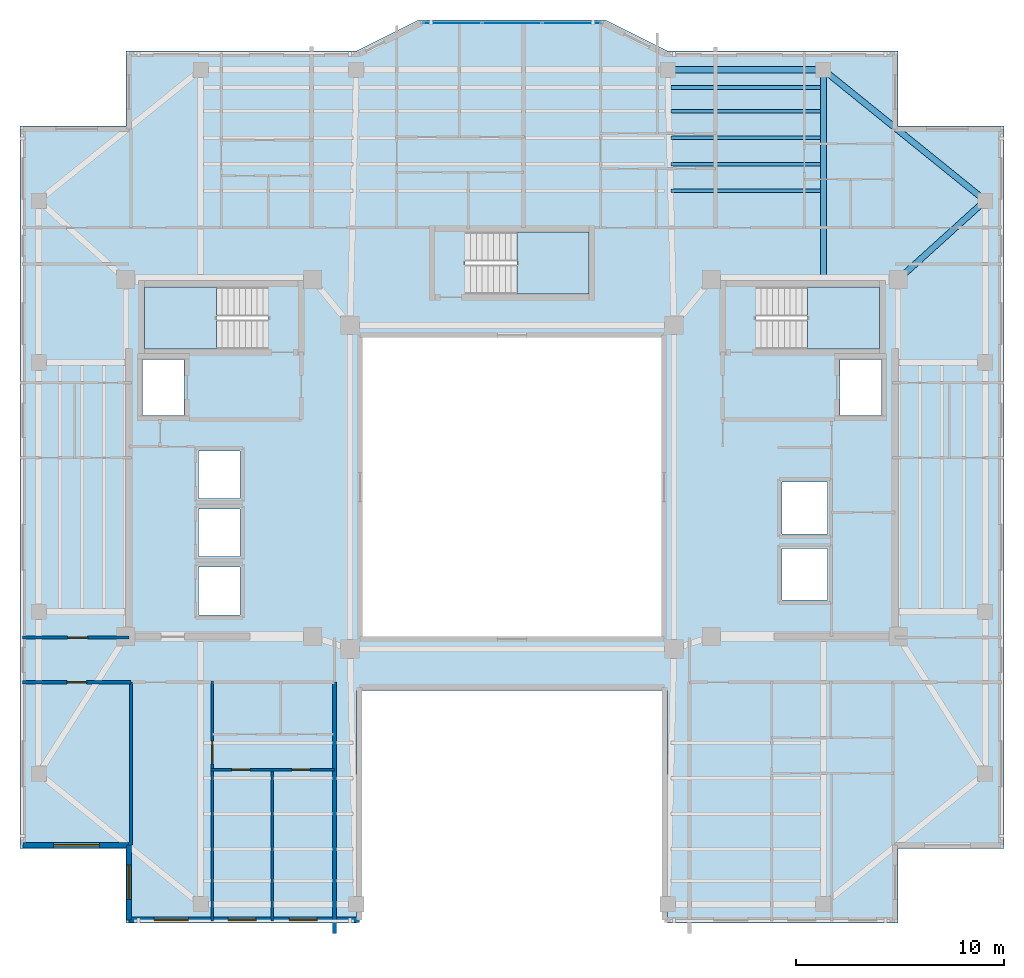
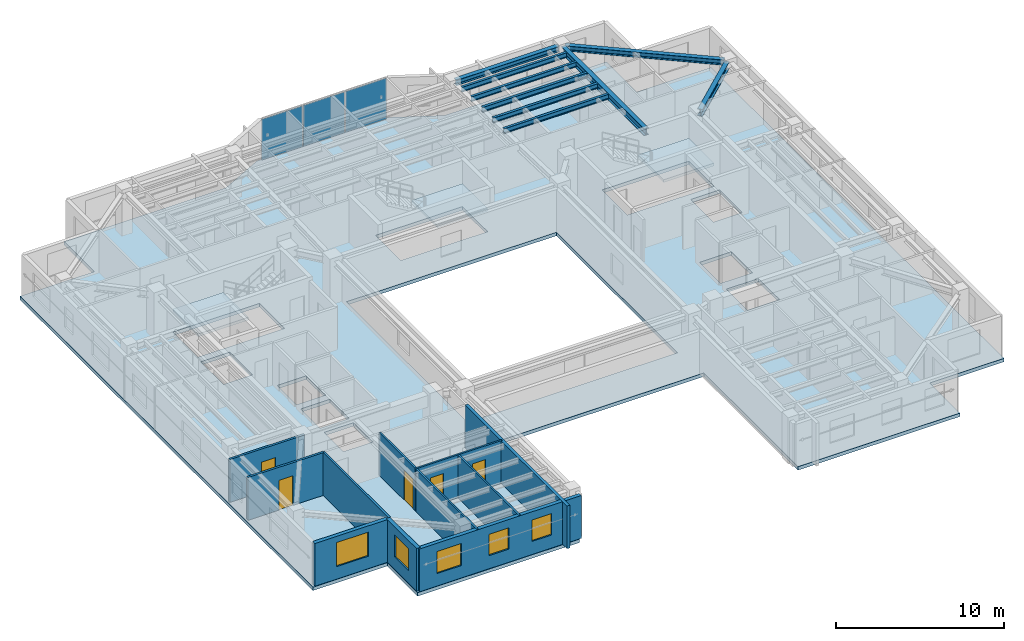
# One storey, part 3 of 12: 10 walls, 9 beams, 5 doors, 5 windows, 4 slabs, 3 plates, 10 openings, 4 elements without a shape of their own.
"""IFC4 building model written with IfcOpenShell, lengths in metres."""

from ifc_helpers import new_model, si_unit, direction, frame, frame_2d, origin, origin_2d, place, context, subcontext, project, spatial, polyline, rectangle, i_section, outline, extrude, material, layer, layer_set, material_profile, profile_set, type_object, element, fill, aggregate, save


model = new_model("IFC4")

# Units and contexts
model_context = context("Model", 3, precision=1e-05, world=origin(), true_north=direction((0.0, 1.0)))
body_context = subcontext(model_context, "Body", "Model", "MODEL_VIEW")
ifc_project = project(units=[si_unit("LENGTHUNIT", "METRE"), si_unit("AREAUNIT", "SQUARE_METRE"), si_unit("VOLUMEUNIT", "CUBIC_METRE"), si_unit("PLANEANGLEUNIT", "RADIAN"), si_unit("MASSUNIT", "GRAM", prefix="KILO")], contexts=[model_context])

# Site, building, storey
site_placement = place(None, origin())
site = spatial("IfcSite", under=ifc_project, at=site_placement, CompositionType="ELEMENT")
building_placement = place(site_placement, origin())
building = spatial("IfcBuilding", under=site, at=building_placement, Name="Tarnavaz Court Tower", CompositionType="ELEMENT")
storey_placement = place(building_placement, frame((0.0, 0.0, 220.39990234375)))
storey = spatial("IfcBuildingStorey", under=building, at=storey_placement, Name="L60", CompositionType="ELEMENT", Elevation=220.39990234375)

# Beams
ifc_material_1 = material(Name="Steel S355", Category="steel")
ifc_material_profile_1 = material_profile(ifc_material_1, i_section(OverallWidth=0.300048828125, OverallDepth=0.5, WebThickness=0.014404296875, FlangeThickness=0.028076171875, FilletRadius=0.027099609375, at=origin_2d()), Name="HEB 500")
ifc_profile_set_1 = profile_set([ifc_material_profile_1], Name="Steel S355")
beam_type_1 = type_object("IfcBeamType", Name="BM-G-HEB500", PredefinedType="USERDEFINED", material=ifc_profile_set_1)
beam_1_placement = place(storey_placement, frame((15.0, 10.0400390625, 2.85009765625), z_axis=(0.0, 1.0, 0.0), x_axis=(-1.0, 0.0, 0.0)))
element("IfcBeam", 1, at=beam_1_placement, inside=storey, type_object=beam_type_1, Name="L60 Beam RG-04", ObjectType="GIRDER", PredefinedType="USERDEFINED", context=body_context, shape_type="SweptSolid", body=[
    extrude(i_section(OverallWidth=0.300048828125, OverallDepth=0.5, WebThickness=0.014404296875, FlangeThickness=0.028076171875, FilletRadius=0.027099609375, at=origin_2d()), origin(), (0.0, 0.0, 1.0), 9.83984375),
])
beam_2_placement = place(storey_placement, frame((18.76318359375, 10.147705078125, 2.85009765625), z_axis=(0.741555708494, 0.670891296113, 0.0), x_axis=(-0.670891296113, 0.741555708494, 0.0)))
element("IfcBeam", 2, at=beam_2_placement, inside=storey, type_object=beam_type_1, Name="L60 Beam RG-12", ObjectType="GIRDER", PredefinedType="USERDEFINED", context=body_context, shape_type="SweptSolid", body=[
    extrude(i_section(OverallWidth=0.300048828125, OverallDepth=0.5, WebThickness=0.014404296875, FlangeThickness=0.028076171875, FilletRadius=0.027099609375, at=origin_2d()), origin(), (0.0, 0.0, 1.0), 5.223876953125),
])
ifc_material_profile_2 = material_profile(ifc_material_1, i_section(OverallWidth=0.169921875, OverallDepth=0.360107421875, WebThickness=0.008056640625, FlangeThickness=0.0126953125, FilletRadius=0.01806640625, at=origin_2d()), Name="IPE 360")
ifc_profile_set_2 = profile_set([ifc_material_profile_2], Name="Steel S355")
beam_type_2 = type_object("IfcBeamType", Name="BM-J-IPE360", PredefinedType="JOIST", material=ifc_profile_set_2)
for number, where, z_axis, x_axis, name in (
    (3, (7.64990234375, 14.278076171875, 2.920166015625), (1.0, 0.0, 0.0), (0.0, 1.0, 0.0), "L60 Beam JN1-3"),
    (4, (7.64990234375, 15.555908203125, 2.920166015625), (1.0, 0.0, 0.0), (0.0, 1.0, 0.0), "L60 Beam JN2-3"),
    (5, (7.64990234375, 16.833984375, 2.920166015625), (1.0, 0.0, 0.0), (0.0, 1.0, 0.0), "L60 Beam JN3-3"),
    (6, (7.64990234375, 18.112060546875, 2.920166015625), (1.0, 0.0, 0.0), (0.0, 1.0, 0.0), "L60 Beam JN4-3"),
    (7, (7.64990234375, 19.248046875, 2.920166015625), (1.0, 0.0, 0.0), (0.0, 1.0, 0.0), "L60 Beam JN5-3"),
):
    element("IfcBeam", number, at=place(storey_placement, frame(where, z_axis=z_axis, x_axis=x_axis)), inside=storey, type_object=beam_type_2, Name=name, PredefinedType="JOIST", context=body_context, shape_type="SweptSolid", body=[
        extrude(i_section(OverallWidth=0.169921875, OverallDepth=0.360107421875, WebThickness=0.008056640625, FlangeThickness=0.0126953125, FilletRadius=0.01806640625, at=origin_2d()), origin(), (0.0, 0.0, 1.0), 7.2001953125),
    ])
ifc_material_profile_3 = material_profile(ifc_material_1, i_section(OverallWidth=0.300048828125, OverallDepth=0.389892578125, WebThickness=0.010986328125, FlangeThickness=0.01904296875, FilletRadius=0.027099609375, at=origin_2d()), Name="HEA 400")
ifc_profile_set_3 = profile_set([ifc_material_profile_3], Name="Steel S355")
beam_type_3 = type_object("IfcBeamType", Name="BM-SP-HEA400", PredefinedType="BEAM", material=ifc_profile_set_3)
beam_3_placement = place(storey_placement, frame((7.719970703125, 20.10009765625, 2.905029296875), z_axis=(1.0, 0.0, 0.0), x_axis=(0.0, 1.0, 0.0)))
element("IfcBeam", 8, at=beam_3_placement, inside=storey, type_object=beam_type_3, Name="L60 Beam PR-PN-3-PN-4", PredefinedType="BEAM", context=body_context, shape_type="SweptSolid", body=[
    extrude(i_section(OverallWidth=0.300048828125, OverallDepth=0.389892578125, WebThickness=0.010986328125, FlangeThickness=0.01904296875, FilletRadius=0.027099609375, at=origin_2d()), origin(), (0.0, 0.0, 1.0), 7.06005859375),
])
beam_4_placement = place(storey_placement, frame((15.171142578125, 19.9619140625, 2.905029296875), z_axis=(0.777935913531, -0.628343627674, 0.0), x_axis=(0.628343627674, 0.777935913531, 0.0)))
element("IfcBeam", 9, at=beam_4_placement, inside=storey, type_object=beam_type_3, Name="L60 Beam PR-PN-4-PE-4", PredefinedType="BEAM", context=body_context, shape_type="SweptSolid", body=[
    extrude(i_section(OverallWidth=0.300048828125, OverallDepth=0.389892578125, WebThickness=0.010986328125, FlangeThickness=0.01904296875, FilletRadius=0.027099609375, at=origin_2d()), origin(), (0.0, 0.0, 1.0), 9.586669921875),
])

# Curtain wall, plates
ifc_material_2 = material(Name="Anodised Aluminium 6063-T6 and Solar Low-E Glazing", Category="aluminium")
ifc_layer_1 = layer(ifc_material_2, 0.159912109375)
ifc_layer_set_1 = layer_set([ifc_layer_1], Name="Anodised Aluminium 6063-T6 and Solar Low-E Glazing")
curtain_wall_type = type_object("IfcCurtainWallType", Name="CW-SYS-03", PredefinedType="NOTDEFINED", material=ifc_layer_set_1)
curtain_wall_placement = place(storey_placement, origin())
curtain_wall = element("IfcCurtainWall", 10, at=curtain_wall_placement, inside=storey, type_object=curtain_wall_type, Name="L60 Iwan Prow Curtain Wall 7", PredefinedType="NOTDEFINED")
ifc_material_3 = material(Name="Double-Glazed Solar Low-E Glass", Category="glass")
ifc_layer_2 = layer(ifc_material_3, 0.028076171875)
ifc_layer_set_2 = layer_set([ifc_layer_2], Name="Double-Glazed Solar Low-E Glass")
plate_type = type_object("IfcPlateType", Name="CW-PAN-GLZ28", PredefinedType="CURTAIN_PANEL", material=ifc_layer_set_2)
plate_1_placement = place(storey_placement, frame((-2.88134765625, 22.35009765625, 0.06494140625), z_axis=(0.0, 0.0, 1.0), x_axis=(1.0, 0.0, 0.0)))
plate_1 = element("IfcPlate", 11, at=plate_1_placement, type_object=plate_type, Name="CW panel 1.1", PredefinedType="CURTAIN_PANEL", context=body_context, shape_type="SweptSolid", body=[
    extrude(rectangle(XDim=2.78759765625, YDim=0.028076171875, at=origin_2d()), origin(), (0.0, 0.0, 1.0), 2.969970703125),
])
plate_2_placement = place(storey_placement, frame((0.0, 22.35009765625, 0.06494140625), z_axis=(0.0, 0.0, 1.0), x_axis=(1.0, 0.0, 0.0)))
plate_2 = element("IfcPlate", 12, at=plate_2_placement, type_object=plate_type, Name="CW panel 2.1", PredefinedType="CURTAIN_PANEL", context=body_context, shape_type="SweptSolid", body=[
    extrude(rectangle(XDim=2.824951171875, YDim=0.028076171875, at=origin_2d()), origin(), (0.0, 0.0, 1.0), 2.969970703125),
])
plate_3_placement = place(storey_placement, frame((2.88134765625, 22.35009765625, 0.06494140625), z_axis=(0.0, 0.0, 1.0), x_axis=(1.0, 0.0, 0.0)))
plate_3 = element("IfcPlate", 13, at=plate_3_placement, type_object=plate_type, Name="CW panel 3.1", PredefinedType="CURTAIN_PANEL", context=body_context, shape_type="SweptSolid", body=[
    extrude(rectangle(XDim=2.78759765625, YDim=0.028076171875, at=origin_2d()), origin(), (0.0, 0.0, 1.0), 2.969970703125),
])
aggregate(curtain_wall, [plate_1, plate_2, plate_3])

# Stair, slab
ifc_material_4 = material(Name="Concrete C40/50", Category="concrete")
stair_type = type_object("IfcStairType", Name="ST-TWR-20R", PredefinedType="HALF_TURN_STAIR", material=ifc_material_4)
stair_1_placement = place(storey_placement, origin())
stair_1 = element("IfcStair", 14, at=stair_1_placement, inside=storey, type_object=stair_type, Name="L60 West Core Pressurized Exit Stair ST-W1", PredefinedType="HALF_TURN_STAIR")
ifc_layer_3 = layer(ifc_material_4, 0.199951171875)
ifc_layer_set_3 = layer_set([ifc_layer_3], Name="Concrete C40/50")
slab_type_1 = type_object("IfcSlabType", Name="SL-LAND-200", PredefinedType="LANDING", material=ifc_layer_set_3)
slab_1_placement = place(storey_placement, frame((0.0, 0.0, 1.47509765625)))
slab_1 = element("IfcSlab", 15, at=slab_1_placement, type_object=slab_type_1, Name="ST-W1 landing 1", PredefinedType="LANDING", context=body_context, shape_type="SweptSolid", body=[
    extrude(outline(polyline([(-14.239990234375, 9.639892578125), (-17.699951171875, 9.639892578125), (-17.699951171875, 6.64990234375), (-14.239990234375, 6.64990234375), (-14.239990234375, 9.639892578125)])), origin(), (0.0, 0.0, 1.0), 0.199951171875),
])
aggregate(stair_1, [slab_1])

stair_2_placement = place(storey_placement, origin())
stair_2 = element("IfcStair", 16, at=stair_2_placement, inside=storey, type_object=stair_type, Name="L60 East Core Pressurized Exit Stair ST-E1", PredefinedType="HALF_TURN_STAIR")
slab_2_placement = place(storey_placement, frame((0.0, 0.0, 1.47509765625)))
slab_2 = element("IfcSlab", 17, at=slab_2_placement, type_object=slab_type_1, Name="ST-E1 landing 1", PredefinedType="LANDING", context=body_context, shape_type="SweptSolid", body=[
    extrude(outline(polyline([(14.239990234375, 6.64990234375), (17.699951171875, 6.64990234375), (17.699951171875, 9.639892578125), (14.239990234375, 9.639892578125), (14.239990234375, 6.64990234375)])), origin(), (0.0, 0.0, 1.0), 0.199951171875),
])
aggregate(stair_2, [slab_2])

stair_3_placement = place(storey_placement, origin())
stair_3 = element("IfcStair", 18, at=stair_3_placement, inside=storey, type_object=stair_type, Name="L60 North Ring Pressurized Exit Stair ST-N1", PredefinedType="HALF_TURN_STAIR")
slab_3_placement = place(storey_placement, frame((0.0, 0.0, 1.47509765625)))
slab_3 = element("IfcSlab", 19, at=slab_3_placement, type_object=slab_type_1, Name="ST-N1 landing 1", PredefinedType="LANDING", context=body_context, shape_type="SweptSolid", body=[
    extrude(outline(polyline([(0.239990234375, 9.300048828125), (3.699951171875, 9.300048828125), (3.699951171875, 12.2900390625), (0.239990234375, 12.2900390625), (0.239990234375, 9.300048828125)])), origin(), (0.0, 0.0, 1.0), 0.199951171875),
])
aggregate(stair_3, [slab_3])

# Slab
ifc_layer_4 = layer(ifc_material_4, 0.25)
ifc_layer_set_4 = layer_set([ifc_layer_4], Name="Concrete C40/50")
slab_type_2 = type_object("IfcSlabType", Name="SL-RES-250", PredefinedType="FLOOR", material=ifc_layer_set_4)
slab_4_placement = place(storey_placement, frame((0.0, 0.0, -0.25)))
element("IfcSlab", 20, at=slab_4_placement, inside=storey, type_object=slab_type_2, Name="L60 Structural Floor Slab", PredefinedType="FLOOR", context=body_context, shape_type="SweptSolid", body=[
    extrude(outline(polyline([(-18.60009765625, -21.0), (-7.5, -21.0), (-7.5, -9.800048828125), (7.5, -9.800048828125), (7.5, -21.0), (18.60009765625, -21.0), (18.60009765625, -17.39990234375), (23.699951171875, -17.39990234375), (23.699951171875, 17.39990234375), (18.60009765625, 17.39990234375), (18.60009765625, 21.0), (7.5, 21.0), (4.5, 22.5), (-4.5, 22.5), (-7.5, 21.0), (-18.60009765625, 21.0), (-18.60009765625, 17.39990234375), (-23.699951171875, 17.39990234375), (-23.699951171875, -17.39990234375), (-18.60009765625, -17.39990234375), (-18.60009765625, -21.0)]), holes=[polyline([(-7.199951171875, -7.199951171875), (7.199951171875, -7.199951171875), (7.199951171875, 7.199951171875), (-7.199951171875, 7.199951171875), (-7.199951171875, -7.199951171875)]), polyline([(-11.7451171875, 9.639892578125), (-17.699951171875, 9.639892578125), (-17.699951171875, 6.64990234375), (-11.7451171875, 6.64990234375), (-11.7451171875, 9.639892578125)]), polyline([(11.7451171875, 6.64990234375), (17.699951171875, 6.64990234375), (17.699951171875, 9.639892578125), (11.7451171875, 9.639892578125), (11.7451171875, 6.64990234375)]), polyline([(-2.2548828125, 9.300048828125), (3.699951171875, 9.300048828125), (3.699951171875, 12.2900390625), (-2.2548828125, 12.2900390625), (-2.2548828125, 9.300048828125)]), polyline([(-17.800048828125, 3.449951171875), (-15.800048828125, 3.449951171875), (-15.800048828125, 6.14990234375), (-17.800048828125, 6.14990234375), (-17.800048828125, 3.449951171875)]), polyline([(-15.10009765625, -6.14990234375), (-13.10009765625, -6.14990234375), (-13.10009765625, -3.85009765625), (-15.10009765625, -3.85009765625), (-15.10009765625, -6.14990234375)]), polyline([(-15.10009765625, -3.35009765625), (-13.10009765625, -3.35009765625), (-13.10009765625, -1.050048828125), (-15.10009765625, -1.050048828125), (-15.10009765625, -3.35009765625)]), polyline([(-15.10009765625, -0.550048828125), (-13.10009765625, -0.550048828125), (-13.10009765625, 1.75), (-15.10009765625, 1.75), (-15.10009765625, -0.550048828125)]), polyline([(15.800048828125, 3.449951171875), (17.800048828125, 3.449951171875), (17.800048828125, 6.14990234375), (15.800048828125, 6.14990234375), (15.800048828125, 3.449951171875)]), polyline([(13.0, -5.449951171875), (15.199951171875, -5.449951171875), (15.199951171875, -2.949951171875), (13.0, -2.949951171875), (13.0, -5.449951171875)]), polyline([(13.0, -2.25), (15.199951171875, -2.25), (15.199951171875, 0.25), (13.0, 0.25), (13.0, -2.25)])]), origin(), (0.0, 0.0, 1.0), 0.25),
])

# Wall, opening, window
ifc_material_5 = material(Name="Precast Concrete C40/50", Category="concrete")
ifc_layer_5 = layer(ifc_material_5, 0.260009765625)
ifc_layer_set_5 = layer_set([ifc_layer_5], Name="Precast Concrete C40/50")
wall_type_1 = type_object("IfcWallType", Name="WL-EXT-260", PredefinedType="SOLIDWALL", material=ifc_layer_set_5)
wall_1_placement = place(storey_placement, frame((-18.449951171875, -17.25, 0.0), z_axis=(0.0, 0.0, 1.0), x_axis=(-1.0, 0.0, 0.0)))
wall_1 = element("IfcWall", 21, at=wall_1_placement, inside=storey, type_object=wall_type_1, Name="L60 Exterior Terracotta Facade Wall 01", PredefinedType="SOLIDWALL", context=body_context, shape_type="SweptSolid", body=[
    extrude(rectangle(XDim=5.10009765625, YDim=0.260009765625, at=frame_2d((2.550048828125, 0.0))), origin(), (0.0, 0.0, 1.0), 3.10009765625),
])
opening_1_placement = place(wall_1_placement, frame((1.425048828125, 0.0, 0.89990234375)))
opening_1 = element("IfcOpeningElement", 22, at=opening_1_placement, cuts=wall_1, Name="Opening W07", PredefinedType="OPENING", context=body_context, shape_type="SweptSolid", body=[
    extrude(rectangle(XDim=2.199951171875, YDim=1.75, at=frame_2d((1.10009765625, 0.875))), frame((0.0, 0.139892578125, 0.0), z_axis=(0.0, -1.0, 0.0), x_axis=(1.0, 0.0, 0.0)), (0.0, 0.0, 1.0), 0.280029296875),
])
window_type_1 = type_object("IfcWindowType", Name="WN-APT-2200", PartitioningType="TRIPLE_PANEL_VERTICAL", PredefinedType="WINDOW", material=ifc_material_3)
window_1_placement = place(opening_1_placement, origin())
window_1 = element("IfcWindow", 23, at=window_1_placement, inside=storey, type_object=window_type_1, Name="L60 South-West Corner Reading Room Window", OverallHeight=1.75, OverallWidth=2.199951171875, PartitioningType="SINGLE_PANEL", PredefinedType="WINDOW", context=body_context, shape_type="SweptSolid", body=[
    extrude(rectangle(XDim=2.199951171875, YDim=1.75, at=frame_2d((1.10009765625, 0.875))), frame((0.0, 0.030029296875, 0.0), z_axis=(0.0, -1.0, 0.0), x_axis=(1.0, 0.0, 0.0)), (0.0, 0.0, 1.0), 0.06005859375),
])
fill(opening_1, window_1)

# Wall, openings, windows
wall_2_placement = place(storey_placement, frame((-7.35009765625, -20.85009765625, 0.0), z_axis=(0.0, 0.0, 1.0), x_axis=(-1.0, 0.0, 0.0)))
wall_2 = element("IfcWall", 24, at=wall_2_placement, inside=storey, type_object=wall_type_1, Name="L60 Exterior Terracotta Facade Wall 19", PredefinedType="SOLIDWALL", context=body_context, shape_type="SweptSolid", body=[
    extrude(rectangle(XDim=11.099853515625, YDim=0.260009765625, at=frame_2d((5.5498046875, 0.0))), origin(), (0.0, 0.0, 1.0), 3.10009765625),
])
opening_2_placement = place(wall_2_placement, frame((2.037109375, 0.0, 0.949951171875)))
opening_2 = element("IfcOpeningElement", 25, at=opening_2_placement, cuts=wall_2, Name="Opening W04", PredefinedType="OPENING", context=body_context, shape_type="SweptSolid", body=[
    extrude(rectangle(XDim=1.35009765625, YDim=1.550048828125, at=frame_2d((0.675048828125, 0.77490234375))), frame((0.0, 0.139892578125, 0.0), z_axis=(0.0, -1.0, 0.0), x_axis=(1.0, 0.0, 0.0)), (0.0, 0.0, 1.0), 0.280029296875),
])
opening_3_placement = place(wall_2_placement, frame((4.9755859375, 0.0, 0.949951171875)))
opening_3 = element("IfcOpeningElement", 26, at=opening_3_placement, cuts=wall_2, Name="Opening W04", PredefinedType="OPENING", context=body_context, shape_type="SweptSolid", body=[
    extrude(rectangle(XDim=1.35009765625, YDim=1.550048828125, at=frame_2d((0.675048828125, 0.77490234375))), frame((0.0, 0.139892578125, 0.0), z_axis=(0.0, -1.0, 0.0), x_axis=(1.0, 0.0, 0.0)), (0.0, 0.0, 1.0), 0.280029296875),
])
opening_4_placement = place(wall_2_placement, frame((8.24072265625, 0.0, 0.89990234375)))
opening_4 = element("IfcOpeningElement", 27, at=opening_4_placement, cuts=wall_2, Name="Opening W02", PredefinedType="OPENING", context=body_context, shape_type="SweptSolid", body=[
    extrude(rectangle(XDim=1.64990234375, YDim=1.60009765625, at=frame_2d((0.824951171875, 0.800048828125))), frame((0.0, 0.139892578125, 0.0), z_axis=(0.0, -1.0, 0.0), x_axis=(1.0, 0.0, 0.0)), (0.0, 0.0, 1.0), 0.280029296875),
])
window_type_2 = type_object("IfcWindowType", Name="WN-APT-1350", PartitioningType="SINGLE_PANEL", PredefinedType="WINDOW", material=ifc_material_3)
window_2_placement = place(opening_2_placement, origin())
window_2 = element("IfcWindow", 28, at=window_2_placement, inside=storey, type_object=window_type_2, Name="L60 Flat 05 Bedroom 2 Window", OverallHeight=1.550048828125, OverallWidth=1.35009765625, PartitioningType="SINGLE_PANEL", PredefinedType="WINDOW", context=body_context, shape_type="SweptSolid", body=[
    extrude(rectangle(XDim=1.35009765625, YDim=1.550048828125, at=frame_2d((0.675048828125, 0.77490234375))), frame((0.0, 0.030029296875, 0.0), z_axis=(0.0, -1.0, 0.0), x_axis=(1.0, 0.0, 0.0)), (0.0, 0.0, 1.0), 0.06005859375),
])
fill(opening_2, window_2)
window_3_placement = place(opening_3_placement, origin())
window_3 = element("IfcWindow", 29, at=window_3_placement, inside=storey, type_object=window_type_2, Name="L60 Flat 05 Principal Bedroom Window", OverallHeight=1.550048828125, OverallWidth=1.35009765625, PartitioningType="SINGLE_PANEL", PredefinedType="WINDOW", context=body_context, shape_type="SweptSolid", body=[
    extrude(rectangle(XDim=1.35009765625, YDim=1.550048828125, at=frame_2d((0.675048828125, 0.77490234375))), frame((0.0, 0.030029296875, 0.0), z_axis=(0.0, -1.0, 0.0), x_axis=(1.0, 0.0, 0.0)), (0.0, 0.0, 1.0), 0.06005859375),
])
fill(opening_3, window_3)
window_type_3 = type_object("IfcWindowType", Name="WN-APT-1650", PartitioningType="DOUBLE_PANEL_VERTICAL", PredefinedType="WINDOW", material=ifc_material_3)
window_4_placement = place(opening_4_placement, origin())
window_4 = element("IfcWindow", 30, at=window_4_placement, inside=storey, type_object=window_type_3, Name="L60 Flat 05 Living and Dining Room Window", OverallHeight=1.60009765625, OverallWidth=1.64990234375, PartitioningType="SINGLE_PANEL", PredefinedType="WINDOW", context=body_context, shape_type="SweptSolid", body=[
    extrude(rectangle(XDim=1.64990234375, YDim=1.60009765625, at=frame_2d((0.824951171875, 0.800048828125))), frame((0.0, 0.030029296875, 0.0), z_axis=(0.0, -1.0, 0.0), x_axis=(1.0, 0.0, 0.0)), (0.0, 0.0, 1.0), 0.06005859375),
])
fill(opening_4, window_4)

# Wall, opening, window
wall_3_placement = place(storey_placement, frame((-18.449951171875, -20.85009765625, 0.0), z_axis=(0.0, 0.0, 1.0), x_axis=(0.0, 1.0, 0.0)))
wall_3 = element("IfcWall", 31, at=wall_3_placement, inside=storey, type_object=wall_type_1, Name="L60 Exterior Terracotta Facade Wall 20", PredefinedType="SOLIDWALL", context=body_context, shape_type="SweptSolid", body=[
    extrude(rectangle(XDim=3.60009765625, YDim=0.260009765625, at=frame_2d((1.800048828125, 0.0))), origin(), (0.0, 0.0, 1.0), 3.10009765625),
])
opening_5_placement = place(wall_3_placement, frame((0.992431640625, 0.0, 0.89990234375)))
opening_5 = element("IfcOpeningElement", 32, at=opening_5_placement, cuts=wall_3, Name="Opening W02", PredefinedType="OPENING", context=body_context, shape_type="SweptSolid", body=[
    extrude(rectangle(XDim=1.64990234375, YDim=1.60009765625, at=frame_2d((0.824951171875, 0.800048828125))), frame((0.0, 0.139892578125, 0.0), z_axis=(0.0, -1.0, 0.0), x_axis=(1.0, 0.0, 0.0)), (0.0, 0.0, 1.0), 0.280029296875),
])
window_5_placement = place(opening_5_placement, origin())
window_5 = element("IfcWindow", 33, at=window_5_placement, inside=storey, type_object=window_type_3, Name="L60 Flat 05 Living and Dining Room Window", OverallHeight=1.60009765625, OverallWidth=1.64990234375, PartitioningType="SINGLE_PANEL", PredefinedType="WINDOW", context=body_context, shape_type="SweptSolid", body=[
    extrude(rectangle(XDim=1.64990234375, YDim=1.60009765625, at=frame_2d((0.824951171875, 0.800048828125))), frame((0.0, 0.030029296875, 0.0), z_axis=(0.0, -1.0, 0.0), x_axis=(1.0, 0.0, 0.0)), (0.0, 0.0, 1.0), 0.06005859375),
])
fill(opening_5, window_5)

# Wall, opening, door
ifc_material_6 = material(Name="Gypsum Fire-Board on Acoustic Metal Stud", Category="masonry")
ifc_layer_6 = layer(ifc_material_6, 0.14990234375)
ifc_layer_set_6 = layer_set([ifc_layer_6], Name="Gypsum Fire-Board on Acoustic Metal Stud")
wall_type_2 = type_object("IfcWallType", Name="WL-FIRE-150", PredefinedType="PARTITIONING", material=ifc_layer_set_6)
wall_4_placement = place(storey_placement, frame((-23.580078125, -7.25, 0.0), z_axis=(0.0, 0.0, 1.0), x_axis=(1.0, 0.0, 0.0)))
wall_4 = element("IfcWall", 34, at=wall_4_placement, inside=storey, type_object=wall_type_2, Name="L60 Interior Partition 100", PredefinedType="PARTITIONING", context=body_context, shape_type="SweptSolid", body=[
    extrude(rectangle(XDim=5.130126953125, YDim=0.14990234375, at=frame_2d((2.56494140625, 0.0))), origin(), (0.0, 0.0, 1.0), 3.10009765625),
])
opening_6_placement = place(wall_4_placement, frame((2.179931640625, 0.0, 0.0)))
opening_6 = element("IfcOpeningElement", 35, at=opening_6_placement, cuts=wall_4, Name="Opening D06", PredefinedType="OPENING", context=body_context, shape_type="SweptSolid", body=[
    extrude(rectangle(XDim=0.9599609375, YDim=2.14990234375, at=frame_2d((0.47998046875, 1.074951171875))), frame((0.0, 0.0849609375, 0.0), z_axis=(0.0, -1.0, 0.0), x_axis=(1.0, 0.0, 0.0)), (0.0, 0.0, 1.0), 0.169921875),
])
ifc_material_7 = material(Name="Fire-Rated Hardwood Timber Core", Category="wood")
door_type_1 = type_object("IfcDoorType", Name="DR-FD60-950", OperationType="NOTDEFINED", PredefinedType="DOOR", material=ifc_material_7)
door_1_placement = place(opening_6_placement, origin())
door_1 = element("IfcDoor", 36, at=door_1_placement, inside=storey, type_object=door_type_1, Name="L60 Flat 07 Entrance Door", OperationType="SINGLE_SWING_LEFT", OverallHeight=2.14990234375, OverallWidth=0.9599609375, PredefinedType="DOOR", context=body_context, shape_type="SweptSolid", body=[
    extrude(rectangle(XDim=0.9599609375, YDim=2.14990234375, at=frame_2d((0.47998046875, 1.074951171875))), frame((0.0, 0.02490234375, 0.0), z_axis=(0.0, -1.0, 0.0), x_axis=(1.0, 0.0, 0.0)), (0.0, 0.0, 1.0), 0.050048828125),
])
fill(opening_6, door_1)

wall_5_placement = place(storey_placement, frame((-23.580078125, -9.39990234375, 0.0), z_axis=(0.0, 0.0, 1.0), x_axis=(1.0, 0.0, 0.0)))
wall_5 = element("IfcWall", 37, at=wall_5_placement, inside=storey, type_object=wall_type_2, Name="L60 Interior Partition 110", PredefinedType="PARTITIONING", context=body_context, shape_type="SweptSolid", body=[
    extrude(rectangle(XDim=5.22998046875, YDim=0.14990234375, at=frame_2d((2.614990234375, 0.0))), origin(), (0.0, 0.0, 1.0), 3.10009765625),
])
opening_7_placement = place(wall_5_placement, frame((2.139892578125, 0.0, 0.0)))
opening_7 = element("IfcOpeningElement", 38, at=opening_7_placement, cuts=wall_5, Name="Opening D13", PredefinedType="OPENING", context=body_context, shape_type="SweptSolid", body=[
    extrude(rectangle(XDim=0.949951171875, YDim=2.14990234375, at=frame_2d((0.47509765625, 1.074951171875))), frame((0.0, 0.0849609375, 0.0), z_axis=(0.0, -1.0, 0.0), x_axis=(1.0, 0.0, 0.0)), (0.0, 0.0, 1.0), 0.169921875),
])
ifc_material_8 = material(Name="Engineered Oak Timber", Category="wood")
door_type_2 = type_object("IfcDoorType", Name="DR-INT-950", OperationType="NOTDEFINED", PredefinedType="DOOR", material=ifc_material_8)
door_2_placement = place(opening_7_placement, origin())
door_2 = element("IfcDoor", 39, at=door_2_placement, inside=storey, type_object=door_type_2, Name="L60 SW Reading Room Door", OperationType="SINGLE_SWING_LEFT", OverallHeight=2.14990234375, OverallWidth=0.949951171875, PredefinedType="DOOR", context=body_context, shape_type="SweptSolid", body=[
    extrude(rectangle(XDim=0.949951171875, YDim=2.14990234375, at=frame_2d((0.47509765625, 1.074951171875))), frame((0.0, 0.02490234375, 0.0), z_axis=(0.0, -1.0, 0.0), x_axis=(1.0, 0.0, 0.0)), (0.0, 0.0, 1.0), 0.050048828125),
])
fill(opening_7, door_2)

# Wall
ifc_material_9 = material(Name="Autoclaved Aerated Concrete Blockwork", Category="masonry")
ifc_layer_7 = layer(ifc_material_9, 0.199951171875)
ifc_layer_set_7 = layer_set([ifc_layer_7], Name="Autoclaved Aerated Concrete Blockwork")
wall_type_3 = type_object("IfcWallType", Name="WL-FIRE-200", PredefinedType="SOLIDWALL", material=ifc_layer_set_7)
wall_6_placement = place(storey_placement, frame((-8.550048828125, -21.50390625, 0.0), z_axis=(0.0, 0.0, 1.0), x_axis=(0.0, 1.0, 0.0)))
element("IfcWall", 40, at=wall_6_placement, inside=storey, type_object=wall_type_3, Name="L60 Party Wall 098", PredefinedType="SOLIDWALL", context=body_context, shape_type="SweptSolid", body=[
    extrude(rectangle(XDim=12.10400390625, YDim=0.199951171875, at=frame_2d((6.052001953125, 0.0))), origin(), (0.0, 0.0, 1.0), 3.10009765625),
])

# Wall, opening, door
ifc_material_10 = material(Name="Moisture-Resistant Gypsum Board Partition", Category="masonry")
ifc_layer_8 = layer(ifc_material_10, 0.1201171875)
ifc_layer_set_8 = layer_set([ifc_layer_8], Name="Moisture-Resistant Gypsum Board Partition")
wall_type_4 = type_object("IfcWallType", Name="WL-PART-120", PredefinedType="PARTITIONING", material=ifc_layer_set_8)
wall_7_placement = place(storey_placement, frame((-14.43798828125, -20.89990234375, 0.0), z_axis=(0.0, 0.0, 1.0), x_axis=(0.0, 1.0, 0.0)))
wall_7 = element("IfcWall", 41, at=wall_7_placement, inside=storey, type_object=wall_type_4, Name="L60 Interior Partition 086", PredefinedType="PARTITIONING", context=body_context, shape_type="SweptSolid", body=[
    extrude(rectangle(XDim=11.559814453125, YDim=0.1201171875, at=frame_2d((5.77978515625, 0.0))), origin(), (0.0, 0.0, 1.0), 3.10009765625),
])
opening_8_placement = place(wall_7_placement, frame((7.56494140625, 0.0, 0.0)))
opening_8 = element("IfcOpeningElement", 42, at=opening_8_placement, cuts=wall_7, Name="Opening D12", PredefinedType="OPENING", context=body_context, shape_type="SweptSolid", body=[
    extrude(rectangle(XDim=1.080078125, YDim=2.14990234375, at=frame_2d((0.5400390625, 1.074951171875))), frame((0.0, 0.070068359375, 0.0), z_axis=(0.0, -1.0, 0.0), x_axis=(1.0, 0.0, 0.0)), (0.0, 0.0, 1.0), 0.14013671875),
])
door_type_3 = type_object("IfcDoorType", Name="DR-INT-1100", OperationType="NOTDEFINED", PredefinedType="DOOR", material=ifc_material_8)
door_3_placement = place(opening_8_placement, origin())
door_3 = element("IfcDoor", 43, at=door_3_placement, inside=storey, type_object=door_type_3, Name="L60 Flat 05 Foyer Door", OperationType="SINGLE_SWING_RIGHT", OverallHeight=2.14990234375, OverallWidth=1.080078125, PredefinedType="DOOR", context=body_context, shape_type="SweptSolid", body=[
    extrude(rectangle(XDim=1.080078125, YDim=2.14990234375, at=frame_2d((0.5400390625, 1.074951171875))), frame((0.0, 0.02490234375, 0.0), z_axis=(0.0, -1.0, 0.0), x_axis=(1.0, 0.0, 0.0)), (0.0, 0.0, 1.0), 0.050048828125),
])
fill(opening_8, door_3)

# Wall, openings, doors
wall_8_placement = place(storey_placement, frame((-14.498046875, -13.6201171875, 0.0), z_axis=(0.0, 0.0, 1.0), x_axis=(1.0, 0.0, 0.0)))
wall_8 = element("IfcWall", 44, at=wall_8_placement, inside=storey, type_object=wall_type_4, Name="L60 Interior Partition 089", PredefinedType="PARTITIONING", context=body_context, shape_type="SweptSolid", body=[
    extrude(rectangle(XDim=5.9580078125, YDim=0.1201171875, at=frame_2d((2.97900390625, 0.0))), origin(), (0.0, 0.0, 1.0), 3.10009765625),
])
opening_9_placement = place(wall_8_placement, frame((1.0048828125, 0.0, 0.0)))
opening_9 = element("IfcOpeningElement", 45, at=opening_9_placement, cuts=wall_8, Name="Opening D14", PredefinedType="OPENING", context=body_context, shape_type="SweptSolid", body=[
    extrude(rectangle(XDim=0.8798828125, YDim=2.10009765625, at=frame_2d((0.43994140625, 1.050048828125))), frame((0.0, 0.070068359375, 0.0), z_axis=(0.0, -1.0, 0.0), x_axis=(1.0, 0.0, 0.0)), (0.0, 0.0, 1.0), 0.14013671875),
])
opening_10_placement = place(wall_8_placement, frame((3.89404296875, 0.0, 0.0)))
opening_10 = element("IfcOpeningElement", 46, at=opening_10_placement, cuts=wall_8, Name="Opening D14", PredefinedType="OPENING", context=body_context, shape_type="SweptSolid", body=[
    extrude(rectangle(XDim=0.8798828125, YDim=2.10009765625, at=frame_2d((0.43994140625, 1.050048828125))), frame((0.0, 0.070068359375, 0.0), z_axis=(0.0, -1.0, 0.0), x_axis=(1.0, 0.0, 0.0)), (0.0, 0.0, 1.0), 0.14013671875),
])
door_type_4 = type_object("IfcDoorType", Name="DR-INT-900", OperationType="NOTDEFINED", PredefinedType="DOOR", material=ifc_material_8)
door_4_placement = place(opening_9_placement, origin())
door_4 = element("IfcDoor", 47, at=door_4_placement, inside=storey, type_object=door_type_4, Name="L60 Flat 05 Bedroom 1 Door", OperationType="SINGLE_SWING_LEFT", OverallHeight=2.10009765625, OverallWidth=0.8798828125, PredefinedType="DOOR", context=body_context, shape_type="SweptSolid", body=[
    extrude(rectangle(XDim=0.8798828125, YDim=2.10009765625, at=frame_2d((0.43994140625, 1.050048828125))), frame((0.0, 0.02490234375, 0.0), z_axis=(0.0, -1.0, 0.0), x_axis=(1.0, 0.0, 0.0)), (0.0, 0.0, 1.0), 0.050048828125),
])
fill(opening_9, door_4)
door_5_placement = place(opening_10_placement, origin())
door_5 = element("IfcDoor", 48, at=door_5_placement, inside=storey, type_object=door_type_4, Name="L60 Flat 05 Bedroom 2 Door", OperationType="SINGLE_SWING_RIGHT", OverallHeight=2.10009765625, OverallWidth=0.8798828125, PredefinedType="DOOR", context=body_context, shape_type="SweptSolid", body=[
    extrude(rectangle(XDim=0.8798828125, YDim=2.10009765625, at=frame_2d((0.43994140625, 1.050048828125))), frame((0.0, 0.02490234375, 0.0), z_axis=(0.0, -1.0, 0.0), x_axis=(1.0, 0.0, 0.0)), (0.0, 0.0, 1.0), 0.050048828125),
])
fill(opening_10, door_5)

# Walls
wall_9_placement = place(storey_placement, frame((-11.549072265625, -20.89990234375, 0.0), z_axis=(0.0, 0.0, 1.0), x_axis=(0.0, 1.0, 0.0)))
element("IfcWall", 49, at=wall_9_placement, inside=storey, type_object=wall_type_4, Name="L60 Interior Partition 091", PredefinedType="PARTITIONING", context=body_context, shape_type="SweptSolid", body=[
    extrude(rectangle(XDim=7.33984375, YDim=0.1201171875, at=frame_2d((3.669921875, 0.0))), origin(), (0.0, 0.0, 1.0), 3.10009765625),
])
ifc_material_11 = material(Name="Gypsum Plasterboard Acoustic Partition", Category="masonry")
ifc_layer_9 = layer(ifc_material_11, 0.139892578125)
ifc_layer_set_9 = layer_set([ifc_layer_9], Name="Gypsum Plasterboard Acoustic Partition")
wall_type_5 = type_object("IfcWallType", Name="WL-PART-150", PredefinedType="PARTITIONING", material=ifc_layer_set_9)
wall_10_placement = place(storey_placement, frame((-18.35009765625, -17.25, 0.0), z_axis=(0.0, 0.0, 1.0), x_axis=(0.0, 1.0, 0.0)))
element("IfcWall", 50, at=wall_10_placement, inside=storey, type_object=wall_type_5, Name="L60 Interior Partition 104", PredefinedType="PARTITIONING", context=body_context, shape_type="SweptSolid", body=[
    extrude(rectangle(XDim=7.85009765625, YDim=0.139892578125, at=frame_2d((3.925048828125, 0.0))), origin(), (0.0, 0.0, 1.0), 3.10009765625),
])

save(model, "model.ifc")
